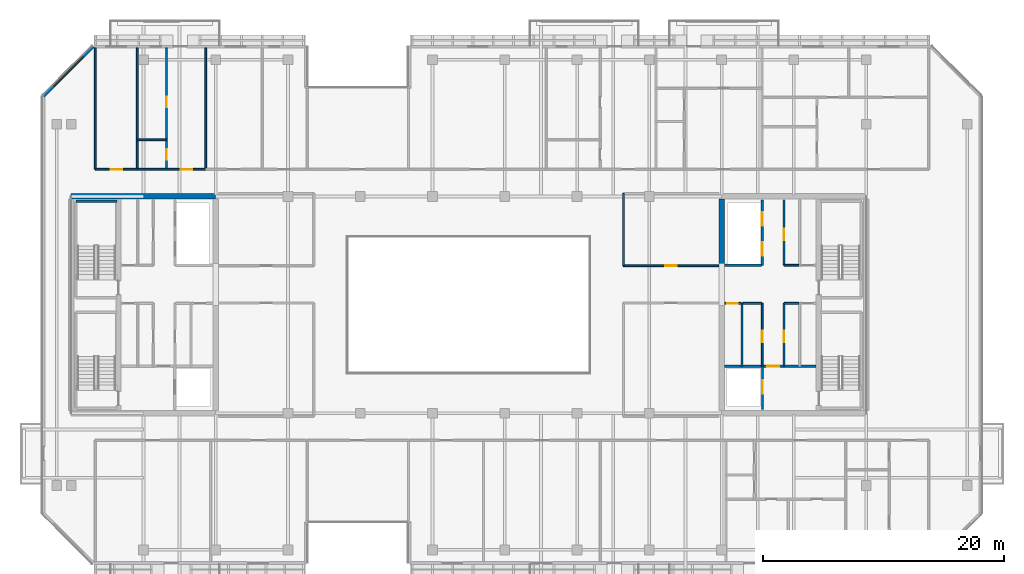
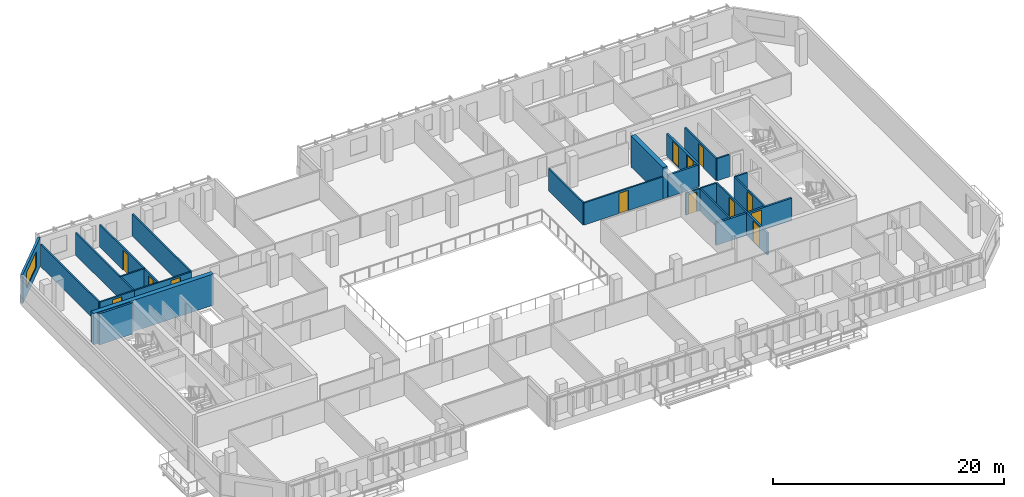
# One storey, part 12 of 22: 25 walls, 13 doors, 1 window, 14 openings.
"""IFC4 building model written with IfcOpenShell, lengths in metres."""

from ifc_helpers import new_model, si_unit, direction, frame, frame_2d, origin, place, context, subcontext, project, spatial, rectangle, extrude, material, layer, layer_set, type_object, element, fill, save


model = new_model("IFC4")

# Units and contexts
model_context = context("Model", 3, precision=1e-05, world=origin(), true_north=direction((0.0, 1.0)))
body_context = subcontext(model_context, "Body", "Model", "MODEL_VIEW")
ifc_project = project(units=[si_unit("LENGTHUNIT", "METRE"), si_unit("AREAUNIT", "SQUARE_METRE"), si_unit("VOLUMEUNIT", "CUBIC_METRE"), si_unit("PLANEANGLEUNIT", "RADIAN"), si_unit("MASSUNIT", "GRAM", prefix="KILO")], contexts=[model_context])

# Site, building, storey
site_placement = place(None, origin())
site = spatial("IfcSite", under=ifc_project, at=site_placement, CompositionType="ELEMENT")
building_placement = place(site_placement, origin())
building = spatial("IfcBuilding", under=site, at=building_placement, Name="Tanjung Sevakor Pilgrim Tower", CompositionType="ELEMENT")
storey_placement = place(building_placement, frame((0.0, 0.0, 195.030029296875)))
storey = spatial("IfcBuildingStorey", under=building, at=storey_placement, Name="L54", CompositionType="ELEMENT", Elevation=195.030029296875)

# Walls
ifc_material_1 = material(Name="Concrete C60/75", Category="concrete")
ifc_layer_1 = layer(ifc_material_1, 0.449951171875)
ifc_layer_set_1 = layer_set([ifc_layer_1], Name="WALL-CW-450")
wall_type_1 = type_object("IfcWallType", Name="WALL-CW-450", PredefinedType="SHEAR", material=ifc_layer_set_1)
wall_1_placement = place(storey_placement, frame((36.0, 42.60009765625, 0.0), z_axis=(0.0, 0.0, 1.0), x_axis=(-1.0, 0.0, 0.0)))
element("IfcWall", 1, at=wall_1_placement, inside=storey, type_object=wall_type_1, Name="L54 W Core North Shear Wall", PredefinedType="SHEAR", context=body_context, shape_type="SweptSolid", body=[
    extrude(rectangle(XDim=12.0, YDim=0.449951171875, at=frame_2d((6.0, 0.0))), origin(), (0.0, 0.0, 1.0), 3.300048828125),
])
wall_2_placement = place(storey_placement, frame((78.0, 36.800048828125, 0.0), z_axis=(0.0, 0.0, 1.0), x_axis=(0.0, 1.0, 0.0)))
element("IfcWall", 2, at=wall_2_placement, inside=storey, type_object=wall_type_1, Name="L54 E Core Inner Shear Wall North", PredefinedType="SHEAR", context=body_context, shape_type="SweptSolid", body=[
    extrude(rectangle(XDim=5.574951171875, YDim=0.449951171875, at=frame_2d((2.78759765625, 0.0))), origin(), (0.0, 0.0, 1.0), 3.300048828125),
])
ifc_material_2 = material(Name="Concrete C40/50", Category="concrete")
ifc_layer_2 = layer(ifc_material_2, 0.14990234375)
ifc_layer_set_2 = layer_set([ifc_layer_2], Name="WT-COMP-150")
wall_type_2 = type_object("IfcWallType", Name="WT-COMP-150", PredefinedType="SOLIDWALL", material=ifc_layer_set_2)
wall_3_placement = place(storey_placement, frame((83.199951171875, 33.719970703125, 0.0), z_axis=(0.0, 0.0, 1.0), x_axis=(1.0, 0.0, 0.0)))
element("IfcWall", 3, at=wall_3_placement, inside=storey, type_object=wall_type_2, Name="L54 Partition IW-L54-021", PredefinedType="SOLIDWALL", context=body_context, shape_type="SweptSolid", body=[
    extrude(rectangle(XDim=1.219970703125, YDim=0.14990234375, at=frame_2d((0.60986328125, 0.0))), origin(), (0.0, 0.0, 1.0), 2.35009765625),
])

# Wall, opening, door
wall_4_placement = place(storey_placement, frame((83.179931640625, 28.5, 0.0), z_axis=(0.0, 0.0, 1.0), x_axis=(0.0, 1.0, 0.0)))
wall_4 = element("IfcWall", 4, at=wall_4_placement, inside=storey, type_object=wall_type_2, Name="L54 Partition IW-L54-022", PredefinedType="SOLIDWALL", context=body_context, shape_type="SweptSolid", body=[
    extrude(rectangle(XDim=5.219970703125, YDim=0.14990234375, at=frame_2d((2.60986328125, 0.0))), origin(), (0.0, 0.0, 1.0), 2.35009765625),
])
opening_1_placement = place(wall_4_placement, frame((2.0, 0.0, 0.0)))
opening_1 = element("IfcOpeningElement", 5, at=opening_1_placement, cuts=wall_4, Name="Opening ID-FD2", PredefinedType="OPENING", context=body_context, shape_type="SweptSolid", body=[
    extrude(rectangle(XDim=0.949951171875, YDim=2.14990234375, at=frame_2d((0.47509765625, 1.074951171875))), frame((0.0, 0.0849609375, 0.0), z_axis=(0.0, -1.0, 0.0), x_axis=(1.0, 0.0, 0.0)), (0.0, 0.0, 1.0), 0.169921875),
])
ifc_material_3 = material(Name="Fire-Rated Timber", Category="wood")
door_type_1 = type_object("IfcDoorType", Name="DT-FIRE-950", OperationType="NOTDEFINED", PredefinedType="DOOR", material=ifc_material_3)
door_1_placement = place(opening_1_placement, origin())
door_1 = element("IfcDoor", 6, at=door_1_placement, inside=storey, type_object=door_type_1, Name="L54 Housekeeping Pantry Door", OperationType="SINGLE_SWING_LEFT", OverallHeight=2.14990234375, OverallWidth=0.949951171875, PredefinedType="DOOR", context=body_context, shape_type="SweptSolid", body=[
    extrude(rectangle(XDim=0.949951171875, YDim=2.14990234375, at=frame_2d((0.47509765625, 1.074951171875))), frame((0.0, 0.02490234375, 0.0), z_axis=(0.0, -1.0, 0.0), x_axis=(1.0, 0.0, 0.0)), (0.0, 0.0, 1.0), 0.050048828125),
])
fill(opening_1, door_1)

# Walls
wall_5_placement = place(storey_placement, frame((79.699951171875, 28.5, 0.0), z_axis=(0.0, 0.0, 1.0), x_axis=(0.0, 1.0, 0.0)))
element("IfcWall", 7, at=wall_5_placement, inside=storey, type_object=wall_type_2, Name="L54 Partition IW-L54-023", PredefinedType="SOLIDWALL", context=body_context, shape_type="SweptSolid", body=[
    extrude(rectangle(XDim=5.219970703125, YDim=0.14990234375, at=frame_2d((2.60986328125, 0.0))), origin(), (0.0, 0.0, 1.0), 2.35009765625),
])
wall_6_placement = place(storey_placement, frame((79.760009765625, 33.719970703125, 0.0), z_axis=(0.0, 0.0, 1.0), x_axis=(1.0, 0.0, 0.0)))
element("IfcWall", 8, at=wall_6_placement, inside=storey, type_object=wall_type_2, Name="L54 Partition IW-L54-024", PredefinedType="SOLIDWALL", context=body_context, shape_type="SweptSolid", body=[
    extrude(rectangle(XDim=1.56005859375, YDim=0.14990234375, at=frame_2d((0.780029296875, 0.0))), origin(), (0.0, 0.0, 1.0), 2.35009765625),
])

# Wall, opening, door
wall_7_placement = place(storey_placement, frame((78.2451171875, 33.719970703125, 0.0), z_axis=(0.0, 0.0, 1.0), x_axis=(1.0, 0.0, 0.0)))
wall_7 = element("IfcWall", 9, at=wall_7_placement, inside=storey, type_object=wall_type_2, Name="L54 Partition IW-L54-025", PredefinedType="SOLIDWALL", context=body_context, shape_type="SweptSolid", body=[
    extrude(rectangle(XDim=1.394775390625, YDim=0.14990234375, at=frame_2d((0.697265625, 0.0))), origin(), (0.0, 0.0, 1.0), 2.35009765625),
])
opening_2_placement = place(wall_7_placement, frame((0.239990234375, 0.0, 0.0)))
opening_2 = element("IfcOpeningElement", 10, at=opening_2_placement, cuts=wall_7, Name="Opening ID-FD3", PredefinedType="OPENING", context=body_context, shape_type="SweptSolid", body=[
    extrude(rectangle(XDim=0.85009765625, YDim=2.10009765625, at=frame_2d((0.425048828125, 1.050048828125))), frame((0.0, 0.0849609375, 0.0), z_axis=(0.0, -1.0, 0.0), x_axis=(1.0, 0.0, 0.0)), (0.0, 0.0, 1.0), 0.169921875),
])
ifc_material_4 = material(Name="Fire-Rated Timber", Category="wood")
door_type_2 = type_object("IfcDoorType", Name="DT-FIRE-850", OperationType="NOTDEFINED", PredefinedType="DOOR", material=ifc_material_4)
door_2_placement = place(opening_2_placement, origin())
door_2 = element("IfcDoor", 11, at=door_2_placement, inside=storey, type_object=door_type_2, Name="L54 Service Store Door", OperationType="SINGLE_SWING_RIGHT", OverallHeight=2.10009765625, OverallWidth=0.85009765625, PredefinedType="DOOR", context=body_context, shape_type="SweptSolid", body=[
    extrude(rectangle(XDim=0.85009765625, YDim=2.10009765625, at=frame_2d((0.425048828125, 1.050048828125))), frame((0.0, 0.02490234375, 0.0), z_axis=(0.0, -1.0, 0.0), x_axis=(1.0, 0.0, 0.0)), (0.0, 0.0, 1.0), 0.050048828125),
])
fill(opening_2, door_2)

wall_8_placement = place(storey_placement, frame((81.3798828125, 28.5, 0.0), z_axis=(0.0, 0.0, 1.0), x_axis=(0.0, 1.0, 0.0)))
wall_8 = element("IfcWall", 12, at=wall_8_placement, inside=storey, type_object=wall_type_2, Name="L54 Partition IW-L54-026", PredefinedType="SOLIDWALL", context=body_context, shape_type="SweptSolid", body=[
    extrude(rectangle(XDim=5.219970703125, YDim=0.14990234375, at=frame_2d((2.60986328125, 0.0))), origin(), (0.0, 0.0, 1.0), 2.35009765625),
])
opening_3_placement = place(wall_8_placement, frame((2.0, 0.0, 0.0)))
opening_3 = element("IfcOpeningElement", 13, at=opening_3_placement, cuts=wall_8, Name="Opening ID-FD2", PredefinedType="OPENING", context=body_context, shape_type="SweptSolid", body=[
    extrude(rectangle(XDim=0.949951171875, YDim=2.14990234375, at=frame_2d((0.47509765625, 1.074951171875))), frame((0.0, 0.0849609375, 0.0), z_axis=(0.0, -1.0, 0.0), x_axis=(1.0, 0.0, 0.0)), (0.0, 0.0, 1.0), 0.169921875),
])
door_3_placement = place(opening_3_placement, origin())
door_3 = element("IfcDoor", 14, at=door_3_placement, inside=storey, type_object=door_type_1, Name="L54 Accessible WC Door", OperationType="SINGLE_SWING_LEFT", OverallHeight=2.14990234375, OverallWidth=0.949951171875, PredefinedType="DOOR", context=body_context, shape_type="SweptSolid", body=[
    extrude(rectangle(XDim=0.949951171875, YDim=2.14990234375, at=frame_2d((0.47509765625, 1.074951171875))), frame((0.0, 0.02490234375, 0.0), z_axis=(0.0, -1.0, 0.0), x_axis=(1.0, 0.0, 0.0)), (0.0, 0.0, 1.0), 0.050048828125),
])
fill(opening_3, door_3)

# Wall
wall_9_placement = place(storey_placement, frame((83.199951171875, 36.8798828125, 0.0), z_axis=(0.0, 0.0, 1.0), x_axis=(1.0, 0.0, 0.0)))
element("IfcWall", 15, at=wall_9_placement, inside=storey, type_object=wall_type_2, Name="L54 Partition IW-L54-029", PredefinedType="SOLIDWALL", context=body_context, shape_type="SweptSolid", body=[
    extrude(rectangle(XDim=1.219970703125, YDim=0.14990234375, at=frame_2d((0.60986328125, 0.0))), origin(), (0.0, 0.0, 1.0), 2.35009765625),
])

# Wall, opening, door
wall_10_placement = place(storey_placement, frame((83.179931640625, 36.8798828125, 0.0), z_axis=(0.0, 0.0, 1.0), x_axis=(0.0, 1.0, 0.0)))
wall_10 = element("IfcWall", 16, at=wall_10_placement, inside=storey, type_object=wall_type_2, Name="L54 Partition IW-L54-030", PredefinedType="SOLIDWALL", context=body_context, shape_type="SweptSolid", body=[
    extrude(rectangle(XDim=5.420166015625, YDim=0.14990234375, at=frame_2d((2.7099609375, 0.0))), origin(), (0.0, 0.0, 1.0), 2.35009765625),
])
opening_4_placement = place(wall_10_placement, frame((2.10009765625, 0.0, 0.0)))
opening_4 = element("IfcOpeningElement", 17, at=opening_4_placement, cuts=wall_10, Name="Opening ID-FD2", PredefinedType="OPENING", context=body_context, shape_type="SweptSolid", body=[
    extrude(rectangle(XDim=0.949951171875, YDim=2.14990234375, at=frame_2d((0.47509765625, 1.074951171875))), frame((0.0, 0.0849609375, 0.0), z_axis=(0.0, -1.0, 0.0), x_axis=(1.0, 0.0, 0.0)), (0.0, 0.0, 1.0), 0.169921875),
])
door_4_placement = place(opening_4_placement, origin())
door_4 = element("IfcDoor", 18, at=door_4_placement, inside=storey, type_object=door_type_1, Name="L54 Core Reading Room Door", OperationType="SINGLE_SWING_LEFT", OverallHeight=2.14990234375, OverallWidth=0.949951171875, PredefinedType="DOOR", context=body_context, shape_type="SweptSolid", body=[
    extrude(rectangle(XDim=0.949951171875, YDim=2.14990234375, at=frame_2d((0.47509765625, 1.074951171875))), frame((0.0, 0.02490234375, 0.0), z_axis=(0.0, -1.0, 0.0), x_axis=(1.0, 0.0, 0.0)), (0.0, 0.0, 1.0), 0.050048828125),
])
fill(opening_4, door_4)

wall_11_placement = place(storey_placement, frame((69.85009765625, 36.85009765625, 0.0), z_axis=(0.0, 0.0, 1.0), x_axis=(1.0, 0.0, 0.0)))
wall_11 = element("IfcWall", 19, at=wall_11_placement, inside=storey, type_object=wall_type_2, Name="L54 Partition IW-L54-042", PredefinedType="SOLIDWALL", context=body_context, shape_type="SweptSolid", body=[
    extrude(rectangle(XDim=7.90478515625, YDim=0.14990234375, at=frame_2d((3.952392578125, 0.0))), origin(), (0.0, 0.0, 1.0), 2.35009765625),
])
opening_5_placement = place(wall_11_placement, frame((3.4775390625, 0.0, 0.0)))
opening_5 = element("IfcOpeningElement", 20, at=opening_5_placement, cuts=wall_11, Name="Opening ID-RM1", PredefinedType="OPENING", context=body_context, shape_type="SweptSolid", body=[
    extrude(rectangle(XDim=0.949951171875, YDim=2.14990234375, at=frame_2d((0.47509765625, 1.074951171875))), frame((0.0, 0.0849609375, 0.0), z_axis=(0.0, -1.0, 0.0), x_axis=(1.0, 0.0, 0.0)), (0.0, 0.0, 1.0), 0.169921875),
])
ifc_material_5 = material(Name="Hardwood Timber", Category="wood")
door_type_3 = type_object("IfcDoorType", Name="DT-INT-950", OperationType="NOTDEFINED", PredefinedType="DOOR", material=ifc_material_5)
door_5_placement = place(opening_5_placement, origin())
door_5 = element("IfcDoor", 21, at=door_5_placement, inside=storey, type_object=door_type_3, Name="L54 East Inboard North Door", OperationType="SINGLE_SWING_LEFT", OverallHeight=2.14990234375, OverallWidth=0.949951171875, PredefinedType="DOOR", context=body_context, shape_type="SweptSolid", body=[
    extrude(rectangle(XDim=0.949951171875, YDim=2.14990234375, at=frame_2d((0.47509765625, 1.074951171875))), frame((0.0, 0.02490234375, 0.0), z_axis=(0.0, -1.0, 0.0), x_axis=(1.0, 0.0, 0.0)), (0.0, 0.0, 1.0), 0.050048828125),
])
fill(opening_5, door_5)

# Walls
wall_12_placement = place(storey_placement, frame((69.85009765625, 36.85009765625, 0.0), z_axis=(0.0, 0.0, 1.0), x_axis=(0.0, 1.0, 0.0)))
element("IfcWall", 22, at=wall_12_placement, inside=storey, type_object=wall_type_2, Name="L54 Partition IW-L54-044", PredefinedType="SOLIDWALL", context=body_context, shape_type="SweptSolid", body=[
    extrude(rectangle(XDim=6.0, YDim=0.14990234375, at=frame_2d((3.0, 0.0))), origin(), (0.0, 0.0, 1.0), 2.35009765625),
])
for number, where, z_axis, x_axis, name in (
    (23, (26.0, 44.85009765625, 0.0), (0.0, 0.0, 1.0), (0.0, 1.0, 0.0), "L54 Partition IW-L54-071"),
    (24, (29.489501953125, 44.85009765625, 0.0), (0.0, 0.0, 1.0), (0.0, 1.0, 0.0), "L54 Partition IW-L54-072"),
):
    element("IfcWall", number, at=place(storey_placement, frame(where, z_axis=z_axis, x_axis=x_axis)), inside=storey, type_object=wall_type_2, Name=name, PredefinedType="SOLIDWALL", context=body_context, shape_type="SweptSolid", body=[
        extrude(rectangle(XDim=10.079833984375, YDim=0.14990234375, at=frame_2d((5.0400390625, 0.0))), origin(), (0.0, 0.0, 1.0), 2.35009765625),
    ])

# Wall, opening, door
wall_13_placement = place(storey_placement, frame((26.0, 44.85009765625, 0.0), z_axis=(0.0, 0.0, 1.0), x_axis=(1.0, 0.0, 0.0)))
wall_13 = element("IfcWall", 25, at=wall_13_placement, inside=storey, type_object=wall_type_2, Name="L54 Partition IW-L54-073", PredefinedType="SOLIDWALL", context=body_context, shape_type="SweptSolid", body=[
    extrude(rectangle(XDim=3.489501953125, YDim=0.14990234375, at=frame_2d((1.74462890625, 0.0))), origin(), (0.0, 0.0, 1.0), 2.35009765625),
])
opening_6_placement = place(wall_13_placement, frame((1.269775390625, 0.0, 0.0)))
opening_6 = element("IfcOpeningElement", 26, at=opening_6_placement, cuts=wall_13, Name="Opening ID-FD2", PredefinedType="OPENING", context=body_context, shape_type="SweptSolid", body=[
    extrude(rectangle(XDim=0.949951171875, YDim=2.14990234375, at=frame_2d((0.47509765625, 1.074951171875))), frame((0.0, 0.0849609375, 0.0), z_axis=(0.0, -1.0, 0.0), x_axis=(1.0, 0.0, 0.0)), (0.0, 0.0, 1.0), 0.169921875),
])
door_6_placement = place(opening_6_placement, origin())
door_6 = element("IfcDoor", 27, at=door_6_placement, inside=storey, type_object=door_type_1, Name="Study Room Entrance", OperationType="SINGLE_SWING_LEFT", OverallHeight=2.14990234375, OverallWidth=0.949951171875, PredefinedType="DOOR", context=body_context, shape_type="SweptSolid", body=[
    extrude(rectangle(XDim=0.949951171875, YDim=2.14990234375, at=frame_2d((0.47509765625, 1.074951171875))), frame((0.0, 0.02490234375, 0.0), z_axis=(0.0, -1.0, 0.0), x_axis=(1.0, 0.0, 0.0)), (0.0, 0.0, 1.0), 0.050048828125),
])
fill(opening_6, door_6)

# Wall
wall_14_placement = place(storey_placement, frame((35.17626953125, 44.85009765625, 0.0), z_axis=(0.0, 0.0, 1.0), x_axis=(0.0, 1.0, 0.0)))
element("IfcWall", 28, at=wall_14_placement, inside=storey, type_object=wall_type_2, Name="L54 Partition IW-L54-074", PredefinedType="SOLIDWALL", context=body_context, shape_type="SweptSolid", body=[
    extrude(rectangle(XDim=10.079833984375, YDim=0.14990234375, at=frame_2d((5.0400390625, 0.0))), origin(), (0.0, 0.0, 1.0), 2.35009765625),
])

# Wall, opening, door
wall_15_placement = place(storey_placement, frame((29.489501953125, 44.85009765625, 0.0), z_axis=(0.0, 0.0, 1.0), x_axis=(1.0, 0.0, 0.0)))
wall_15 = element("IfcWall", 29, at=wall_15_placement, inside=storey, type_object=wall_type_2, Name="L54 Partition IW-L54-077", PredefinedType="SOLIDWALL", context=body_context, shape_type="SweptSolid", body=[
    extrude(rectangle(XDim=5.686767578125, YDim=0.14990234375, at=frame_2d((2.84326171875, 0.0))), origin(), (0.0, 0.0, 1.0), 2.35009765625),
])
opening_7_placement = place(wall_15_placement, frame((3.62353515625, 0.0, 0.0)))
opening_7 = element("IfcOpeningElement", 30, at=opening_7_placement, cuts=wall_15, Name="Opening ID-FD2", PredefinedType="OPENING", context=body_context, shape_type="SweptSolid", body=[
    extrude(rectangle(XDim=0.949951171875, YDim=2.14990234375, at=frame_2d((0.47509765625, 1.074951171875))), frame((0.0, 0.0849609375, 0.0), z_axis=(0.0, -1.0, 0.0), x_axis=(1.0, 0.0, 0.0)), (0.0, 0.0, 1.0), 0.169921875),
])
door_7_placement = place(opening_7_placement, origin())
door_7 = element("IfcDoor", 31, at=door_7_placement, inside=storey, type_object=door_type_1, Name="Hotel Guestroom Entrance", OperationType="SINGLE_SWING_RIGHT", OverallHeight=2.14990234375, OverallWidth=0.949951171875, PredefinedType="DOOR", context=body_context, shape_type="SweptSolid", body=[
    extrude(rectangle(XDim=0.949951171875, YDim=2.14990234375, at=frame_2d((0.47509765625, 1.074951171875))), frame((0.0, 0.02490234375, 0.0), z_axis=(0.0, -1.0, 0.0), x_axis=(1.0, 0.0, 0.0)), (0.0, 0.0, 1.0), 0.050048828125),
])
fill(opening_7, door_7)

# Wall, opening, window
ifc_material_6 = material(Name="Precast concrete C45/55", Category="concrete")
ifc_layer_3 = layer(ifc_material_6, 0.219970703125)
ifc_layer_set_3 = layer_set([ifc_layer_3], Name="WT-EW-STN4")
wall_type_3 = type_object("IfcWallType", Name="WT-EW-STN4", PredefinedType="SOLIDWALL", material=ifc_layer_set_3)
wall_16_placement = place(storey_placement, frame((25.845703125, 55.0400390625, 0.0), z_axis=(0.0, 0.0, 1.0), x_axis=(-0.707106781187, -0.707106781187, 0.0)))
wall_16 = element("IfcWall", 32, at=wall_16_placement, inside=storey, type_object=wall_type_3, Name="L54 MAIN Sculpted Corner Wall 13", PredefinedType="SOLIDWALL", context=body_context, shape_type="SweptSolid", body=[
    extrude(rectangle(XDim=5.848876953125, YDim=0.219970703125, at=frame_2d((2.92431640625, 0.0))), origin(), (0.0, 0.0, 1.0), 3.080078125),
])
opening_8_placement = place(wall_16_placement, frame((1.224365234375, 0.0, 0.780029296875)))
opening_8 = element("IfcOpeningElement", 33, at=opening_8_placement, cuts=wall_16, Name="Opening WN-CHM-1660", PredefinedType="OPENING", context=body_context, shape_type="SweptSolid", body=[
    extrude(rectangle(XDim=3.39990234375, YDim=1.659912109375, at=frame_2d((1.699951171875, 0.830078125))), frame((0.0, 0.119873046875, 0.0), z_axis=(0.0, -1.0, 0.0), x_axis=(1.0, 0.0, 0.0)), (0.0, 0.0, 1.0), 0.239990234375),
])
ifc_material_7 = material(Name="Thermally Broken Aluminium and Low-E Glass", Category="aluminium")
window_type = type_object("IfcWindowType", Name="WTYP-WN-CHM-1660", PartitioningType="DOUBLE_PANEL_VERTICAL", PredefinedType="WINDOW", material=ifc_material_7)
window_placement = place(opening_8_placement, origin())
window = element("IfcWindow", 34, at=window_placement, inside=storey, type_object=window_type, Name="L54 Facade Window 01", OverallHeight=1.659912109375, OverallWidth=3.39990234375, PartitioningType="SINGLE_PANEL", PredefinedType="WINDOW", context=body_context, shape_type="SweptSolid", body=[
    extrude(rectangle(XDim=3.39990234375, YDim=1.659912109375, at=frame_2d((1.699951171875, 0.830078125))), frame((0.0, 0.030029296875, 0.0), z_axis=(0.0, -1.0, 0.0), x_axis=(1.0, 0.0, 0.0)), (0.0, 0.0, 1.0), 0.06005859375),
])
fill(opening_8, window)

# Wall
ifc_material_8 = material(Name="Concrete C40/50", Category="concrete")
ifc_layer_4 = layer(ifc_material_8, 0.199951171875)
ifc_layer_set_4 = layer_set([ifc_layer_4], Name="WT-FIRE-200")
wall_type_4 = type_object("IfcWallType", Name="WT-FIRE-200", PredefinedType="SOLIDWALL", material=ifc_layer_set_4)
wall_17_placement = place(storey_placement, frame((27.800048828125, 42.199951171875, 0.0), z_axis=(0.0, 0.0, 1.0), x_axis=(-1.0, 0.0, 0.0)))
element("IfcWall", 35, at=wall_17_placement, inside=storey, type_object=wall_type_4, Name="L54 TS-W2 Shaft Wall 2", PredefinedType="SOLIDWALL", context=body_context, shape_type="SweptSolid", body=[
    extrude(rectangle(XDim=3.400146484375, YDim=0.199951171875, at=frame_2d((1.7001953125, 0.0))), origin(), (0.0, 0.0, 1.0), 3.300048828125),
])

# Wall, opening, door
ifc_material_9 = material(Name="Concrete C40/50", Category="concrete")
ifc_layer_5 = layer(ifc_material_9, 0.199951171875)
ifc_layer_set_5 = layer_set([ifc_layer_5], Name="WT-FPRT-200")
wall_type_5 = type_object("IfcWallType", Name="WT-FPRT-200", PredefinedType="SOLIDWALL", material=ifc_layer_set_5)
wall_18_placement = place(storey_placement, frame((81.39990234375, 24.919921875, 0.0), z_axis=(0.0, 0.0, 1.0), x_axis=(0.0, 1.0, 0.0)))
wall_18 = element("IfcWall", 36, at=wall_18_placement, inside=storey, type_object=wall_type_5, Name="L54 Partition IW-L54-017", PredefinedType="SOLIDWALL", context=body_context, shape_type="SweptSolid", body=[
    extrude(rectangle(XDim=3.580078125, YDim=0.199951171875, at=frame_2d((1.7900390625, 0.0))), origin(), (0.0, 0.0, 1.0), 2.35009765625),
])
opening_9_placement = place(wall_18_placement, frame((1.300048828125, 0.0, 0.0)))
opening_9 = element("IfcOpeningElement", 37, at=opening_9_placement, cuts=wall_18, Name="Opening LD-1100", PredefinedType="OPENING", context=body_context, shape_type="SweptSolid", body=[
    extrude(rectangle(XDim=1.10009765625, YDim=2.199951171875, at=frame_2d((0.550048828125, 1.10009765625))), frame((0.0, 0.10986328125, 0.0), z_axis=(0.0, -1.0, 0.0), x_axis=(1.0, 0.0, 0.0)), (0.0, 0.0, 1.0), 0.219970703125),
])
ifc_material_10 = material(Name="Brushed Stainless Steel S355J2", Category="steel")
door_type_4 = type_object("IfcDoorType", Name="DT-LIFT-1100", OperationType="SLIDING_TO_LEFT", PredefinedType="DOOR", material=ifc_material_10)
door_8_placement = place(opening_9_placement, origin())
door_8 = element("IfcDoor", 38, at=door_8_placement, inside=storey, type_object=door_type_4, Name="LD-FL-E", OperationType="SLIDING_TO_LEFT", OverallHeight=2.199951171875, OverallWidth=1.10009765625, PredefinedType="DOOR", context=body_context, shape_type="SweptSolid", body=[
    extrude(rectangle(XDim=1.10009765625, YDim=2.199951171875, at=frame_2d((0.550048828125, 1.10009765625))), frame((0.0, 0.02490234375, 0.0), z_axis=(0.0, -1.0, 0.0), x_axis=(1.0, 0.0, 0.0)), (0.0, 0.0, 1.0), 0.050048828125),
])
fill(opening_9, door_8)

wall_19_placement = place(storey_placement, frame((78.2451171875, 28.5, 0.0), z_axis=(0.0, 0.0, 1.0), x_axis=(1.0, 0.0, 0.0)))
wall_19 = element("IfcWall", 39, at=wall_19_placement, inside=storey, type_object=wall_type_5, Name="L54 Partition IW-L54-018", PredefinedType="SOLIDWALL", context=body_context, shape_type="SweptSolid", body=[
    extrude(rectangle(XDim=7.5849609375, YDim=0.199951171875, at=frame_2d((3.79248046875, 0.0))), origin(), (0.0, 0.0, 1.0), 2.35009765625),
])
opening_10_placement = place(wall_19_placement, frame((3.554931640625, 0.0, 0.0)))
opening_10 = element("IfcOpeningElement", 40, at=opening_10_placement, cuts=wall_19, Name="Opening ID-FD1", PredefinedType="OPENING", context=body_context, shape_type="SweptSolid", body=[
    extrude(rectangle(XDim=1.0, YDim=2.14990234375, at=frame_2d((0.5, 1.074951171875))), frame((0.0, 0.10986328125, 0.0), z_axis=(0.0, -1.0, 0.0), x_axis=(1.0, 0.0, 0.0)), (0.0, 0.0, 1.0), 0.219970703125),
])
ifc_material_11 = material(Name="Fire-Rated Steel S355J2", Category="steel")
door_type_5 = type_object("IfcDoorType", Name="DT-FIRE-1000", OperationType="NOTDEFINED", PredefinedType="DOOR", material=ifc_material_11)
door_9_placement = place(opening_10_placement, origin())
door_9 = element("IfcDoor", 41, at=door_9_placement, inside=storey, type_object=door_type_5, Name="Fire Lobby Door E", OperationType="SINGLE_SWING_LEFT", OverallHeight=2.14990234375, OverallWidth=1.0, PredefinedType="DOOR", context=body_context, shape_type="SweptSolid", body=[
    extrude(rectangle(XDim=1.0, YDim=2.14990234375, at=frame_2d((0.5, 1.074951171875))), frame((0.0, 0.02490234375, 0.0), z_axis=(0.0, -1.0, 0.0), x_axis=(1.0, 0.0, 0.0)), (0.0, 0.0, 1.0), 0.050048828125),
])
fill(opening_10, door_9)

# Wall
wall_20_placement = place(storey_placement, frame((78.2451171875, 36.8798828125, 0.0), z_axis=(0.0, 0.0, 1.0), x_axis=(1.0, 0.0, 0.0)))
element("IfcWall", 42, at=wall_20_placement, inside=storey, type_object=wall_type_5, Name="L54 Partition IW-L54-031", PredefinedType="SOLIDWALL", context=body_context, shape_type="SweptSolid", body=[
    extrude(rectangle(XDim=3.074951171875, YDim=0.199951171875, at=frame_2d((1.53759765625, 0.0))), origin(), (0.0, 0.0, 1.0), 2.35009765625),
])

# Wall, openings, doors
wall_21_placement = place(storey_placement, frame((81.3798828125, 36.8798828125, 0.0), z_axis=(0.0, 0.0, 1.0), x_axis=(0.0, 1.0, 0.0)))
wall_21 = element("IfcWall", 43, at=wall_21_placement, inside=storey, type_object=wall_type_5, Name="L54 Partition IW-L54-032", PredefinedType="SOLIDWALL", context=body_context, shape_type="SweptSolid", body=[
    extrude(rectangle(XDim=5.420166015625, YDim=0.199951171875, at=frame_2d((2.7099609375, 0.0))), origin(), (0.0, 0.0, 1.0), 2.35009765625),
])
opening_11_placement = place(wall_21_placement, frame((0.800048828125, 0.0, 0.0)))
opening_11 = element("IfcOpeningElement", 44, at=opening_11_placement, cuts=wall_21, Name="Opening LD-1100", PredefinedType="OPENING", context=body_context, shape_type="SweptSolid", body=[
    extrude(rectangle(XDim=1.10009765625, YDim=2.199951171875, at=frame_2d((0.550048828125, 1.10009765625))), frame((0.0, 0.10986328125, 0.0), z_axis=(0.0, -1.0, 0.0), x_axis=(1.0, 0.0, 0.0)), (0.0, 0.0, 1.0), 0.219970703125),
])
opening_12_placement = place(wall_21_placement, frame((3.300048828125, 0.0, 0.0)))
opening_12 = element("IfcOpeningElement", 45, at=opening_12_placement, cuts=wall_21, Name="Opening LD-1100", PredefinedType="OPENING", context=body_context, shape_type="SweptSolid", body=[
    extrude(rectangle(XDim=1.10009765625, YDim=2.199951171875, at=frame_2d((0.550048828125, 1.10009765625))), frame((0.0, 0.10986328125, 0.0), z_axis=(0.0, -1.0, 0.0), x_axis=(1.0, 0.0, 0.0)), (0.0, 0.0, 1.0), 0.219970703125),
])
door_10_placement = place(opening_11_placement, origin())
door_10 = element("IfcDoor", 46, at=door_10_placement, inside=storey, type_object=door_type_4, Name="LD-PLH1-E", OperationType="SLIDING_TO_LEFT", OverallHeight=2.199951171875, OverallWidth=1.10009765625, PredefinedType="DOOR", context=body_context, shape_type="SweptSolid", body=[
    extrude(rectangle(XDim=1.10009765625, YDim=2.199951171875, at=frame_2d((0.550048828125, 1.10009765625))), frame((0.0, 0.02490234375, 0.0), z_axis=(0.0, -1.0, 0.0), x_axis=(1.0, 0.0, 0.0)), (0.0, 0.0, 1.0), 0.050048828125),
])
fill(opening_11, door_10)
door_11_placement = place(opening_12_placement, origin())
door_11 = element("IfcDoor", 47, at=door_11_placement, inside=storey, type_object=door_type_4, Name="LD-PLH2-E", OperationType="SLIDING_TO_RIGHT", OverallHeight=2.199951171875, OverallWidth=1.10009765625, PredefinedType="DOOR", context=body_context, shape_type="SweptSolid", body=[
    extrude(rectangle(XDim=1.10009765625, YDim=2.199951171875, at=frame_2d((0.550048828125, 1.10009765625))), frame((0.0, 0.02490234375, 0.0), z_axis=(0.0, -1.0, 0.0), x_axis=(1.0, 0.0, 0.0)), (0.0, 0.0, 1.0), 0.050048828125),
])
fill(opening_12, door_11)

# Wall
ifc_material_12 = material(Name="Gypsum Board Partition", Category="gypsum board")
ifc_layer_6 = layer(ifc_material_12, 0.14990234375)
ifc_layer_set_6 = layer_set([ifc_layer_6], Name="WT-PART-150")
wall_type_6 = type_object("IfcWallType", Name="WT-PART-150", PredefinedType="PARTITIONING", material=ifc_layer_set_6)
wall_22_placement = place(storey_placement, frame((29.489501953125, 47.300048828125, 0.0), z_axis=(0.0, 0.0, 1.0), x_axis=(1.0, 0.0, 0.0)))
element("IfcWall", 48, at=wall_22_placement, inside=storey, type_object=wall_type_6, Name="L54 Partition IW-L54-075", PredefinedType="PARTITIONING", context=body_context, shape_type="SweptSolid", body=[
    extrude(rectangle(XDim=2.430419921875, YDim=0.14990234375, at=frame_2d((1.21533203125, 0.0))), origin(), (0.0, 0.0, 1.0), 2.35009765625),
])

# Wall, openings, doors
wall_23_placement = place(storey_placement, frame((31.919921875, 44.85009765625, 0.0), z_axis=(0.0, 0.0, 1.0), x_axis=(0.0, 1.0, 0.0)))
wall_23 = element("IfcWall", 49, at=wall_23_placement, inside=storey, type_object=wall_type_6, Name="L54 Partition IW-L54-076", PredefinedType="PARTITIONING", context=body_context, shape_type="SweptSolid", body=[
    extrude(rectangle(XDim=10.079833984375, YDim=0.14990234375, at=frame_2d((5.0400390625, 0.0))), origin(), (0.0, 0.0, 1.0), 2.35009765625),
])
opening_13_placement = place(wall_23_placement, frame((0.800048828125, 0.0, 0.0)))
opening_13 = element("IfcOpeningElement", 50, at=opening_13_placement, cuts=wall_23, Name="Opening ID-WC1", PredefinedType="OPENING", context=body_context, shape_type="SweptSolid", body=[
    extrude(rectangle(XDim=0.85009765625, YDim=2.10009765625, at=frame_2d((0.425048828125, 1.050048828125))), frame((0.0, 0.0849609375, 0.0), z_axis=(0.0, -1.0, 0.0), x_axis=(1.0, 0.0, 0.0)), (0.0, 0.0, 1.0), 0.169921875),
])
opening_14_placement = place(wall_23_placement, frame((5.162109375, 0.0, 0.0)))
opening_14 = element("IfcOpeningElement", 51, at=opening_14_placement, cuts=wall_23, Name="Opening ID-WC1", PredefinedType="OPENING", context=body_context, shape_type="SweptSolid", body=[
    extrude(rectangle(XDim=0.85009765625, YDim=2.10009765625, at=frame_2d((0.425048828125, 1.050048828125))), frame((0.0, 0.0849609375, 0.0), z_axis=(0.0, -1.0, 0.0), x_axis=(1.0, 0.0, 0.0)), (0.0, 0.0, 1.0), 0.169921875),
])
ifc_material_13 = material(Name="Moisture-Resistant Timber", Category="wood")
door_type_6 = type_object("IfcDoorType", Name="DT-INT-850", OperationType="NOTDEFINED", PredefinedType="DOOR", material=ifc_material_13)
door_12_placement = place(opening_13_placement, origin())
door_12 = element("IfcDoor", 52, at=door_12_placement, inside=storey, type_object=door_type_6, Name="Bathroom Door", OperationType="SINGLE_SWING_RIGHT", OverallHeight=2.10009765625, OverallWidth=0.85009765625, PredefinedType="DOOR", context=body_context, shape_type="SweptSolid", body=[
    extrude(rectangle(XDim=0.85009765625, YDim=2.10009765625, at=frame_2d((0.425048828125, 1.050048828125))), frame((0.0, 0.02490234375, 0.0), z_axis=(0.0, -1.0, 0.0), x_axis=(1.0, 0.0, 0.0)), (0.0, 0.0, 1.0), 0.050048828125),
])
fill(opening_13, door_12)
door_13_placement = place(opening_14_placement, origin())
door_13 = element("IfcDoor", 53, at=door_13_placement, inside=storey, type_object=door_type_6, Name="Study Nook Door", OperationType="SINGLE_SWING_LEFT", OverallHeight=2.10009765625, OverallWidth=0.85009765625, PredefinedType="DOOR", context=body_context, shape_type="SweptSolid", body=[
    extrude(rectangle(XDim=0.85009765625, YDim=2.10009765625, at=frame_2d((0.425048828125, 1.050048828125))), frame((0.0, 0.02490234375, 0.0), z_axis=(0.0, -1.0, 0.0), x_axis=(1.0, 0.0, 0.0)), (0.0, 0.0, 1.0), 0.050048828125),
])
fill(opening_14, door_13)

save(model, "model.ifc")
